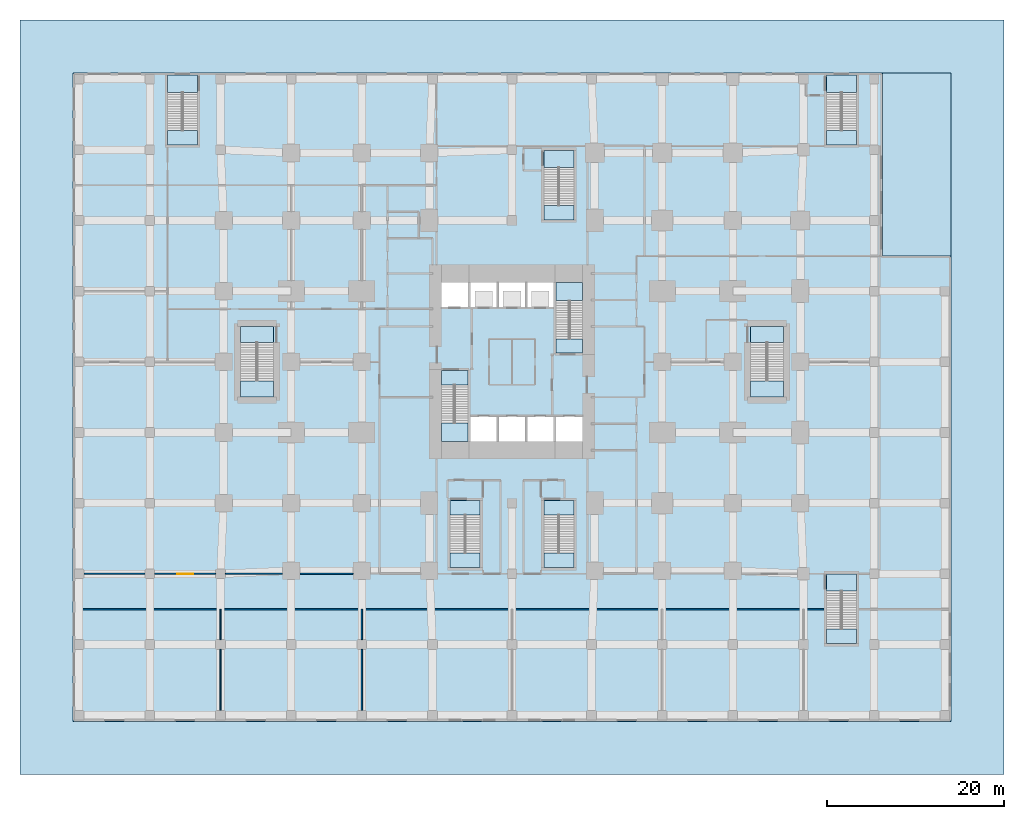
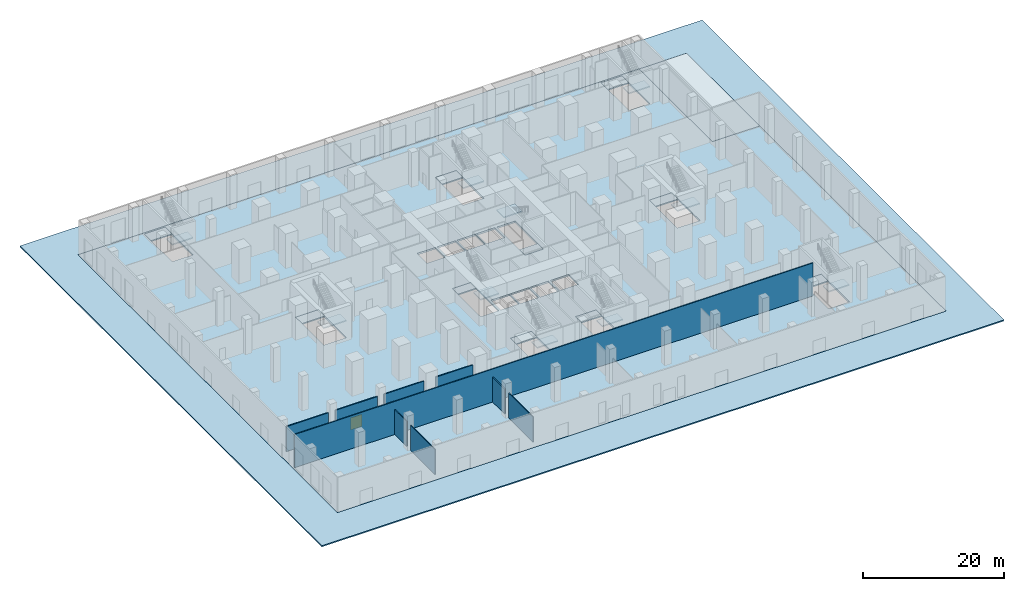
# One storey, part 3 of 16: 23 slabs, 9 walls, 1 door, 1 opening, 10 elements without a shape of their own.
"""IFC4 building model written with IfcOpenShell, lengths in metres."""

from ifc_helpers import new_model, si_unit, direction, frame, frame_2d, origin, place, context, subcontext, project, spatial, polyline, rectangle, outline, extrude, material, layer, layer_set, type_object, element, fill, aggregate, save


model = new_model("IFC4")

# Units and contexts
model_context = context("Model", 3, precision=1e-05, world=origin(), true_north=direction((0.0, 1.0)))
body_context = subcontext(model_context, "Body", "Model", "MODEL_VIEW")
ifc_project = project(units=[si_unit("LENGTHUNIT", "METRE"), si_unit("AREAUNIT", "SQUARE_METRE"), si_unit("VOLUMEUNIT", "CUBIC_METRE"), si_unit("PLANEANGLEUNIT", "RADIAN"), si_unit("MASSUNIT", "GRAM", prefix="KILO")], contexts=[model_context])

# Site, building, storey
site_placement = place(None, origin())
site = spatial("IfcSite", under=ifc_project, at=site_placement, CompositionType="ELEMENT")
building_placement = place(site_placement, origin())
building = spatial("IfcBuilding", under=site, at=building_placement, Name="Cleftline Residences", CompositionType="ELEMENT")
storey_placement = place(building_placement, origin())
storey = spatial("IfcBuildingStorey", under=building, at=storey_placement, Name="L00", CompositionType="ELEMENT", Elevation=0.0)

# Slabs
ifc_material_1 = material(Name="Concrete B45", Category="concrete")
ifc_layer_1 = layer(ifc_material_1, 0.300048828125)
ifc_layer_set_1 = layer_set([ifc_layer_1], Name="FLOOR SLAB 300")
slab_type_1 = type_object("IfcSlabType", Name="FLOOR SLAB 300", PredefinedType="FLOOR", material=ifc_layer_set_1)
slab_1_placement = place(storey_placement, frame((0.0, 0.0, -0.300048828125)))
element("IfcSlab", 1, at=slab_1_placement, inside=storey, type_object=slab_type_1, Name="Floor slab L00", PredefinedType="FLOOR", context=body_context, shape_type="SweptSolid", body=[
    extrude(outline(polyline([(82.699951171875, 36.0), (74.949951171875, 36.0), (74.949951171875, 56.699951171875), (-16.699951171875, 56.699951171875), (-16.699951171875, -16.699951171875), (82.699951171875, -16.699951171875), (82.699951171875, 36.0)]), holes=[polyline([(28.0, 15.0), (28.0, 23.0), (25.0, 23.0), (25.0, 15.0), (28.0, 15.0)]), polyline([(41.0, 25.0), (41.0, 33.0), (38.0, 33.0), (38.0, 25.0), (41.0, 25.0)]), polyline([(28.0, 30.199951171875), (28.0, 33.0), (25.0, 33.0), (25.0, 30.199951171875), (28.0, 30.199951171875)]), polyline([(41.0, 15.0), (41.0, 17.800048828125), (38.0, 17.800048828125), (38.0, 15.0), (41.0, 15.0)]), polyline([(31.300048828125, 15.0), (31.300048828125, 17.800048828125), (28.300048828125, 17.800048828125), (28.300048828125, 15.0), (31.300048828125, 15.0)]), polyline([(34.5, 15.0), (34.5, 17.800048828125), (31.5, 17.800048828125), (31.5, 15.0), (34.5, 15.0)]), polyline([(37.699951171875, 15.0), (37.699951171875, 17.800048828125), (34.699951171875, 17.800048828125), (34.699951171875, 15.0), (37.699951171875, 15.0)]), polyline([(31.300048828125, 30.199951171875), (31.300048828125, 33.0), (28.300048828125, 33.0), (28.300048828125, 30.199951171875), (31.300048828125, 30.199951171875)]), polyline([(34.5, 30.199951171875), (34.5, 33.0), (31.5, 33.0), (31.5, 30.199951171875), (34.5, 30.199951171875)]), polyline([(37.699951171875, 30.199951171875), (37.699951171875, 33.0), (34.699951171875, 33.0), (34.699951171875, 30.199951171875), (37.699951171875, 30.199951171875)]), polyline([(29.39990234375, 0.699951171875), (29.39990234375, 8.300048828125), (26.0, 8.300048828125), (26.0, 0.699951171875), (29.39990234375, 0.699951171875)]), polyline([(40.0, 0.699951171875), (40.0, 8.300048828125), (36.60009765625, 8.300048828125), (36.60009765625, 0.699951171875), (40.0, 0.699951171875)]), polyline([(40.0, 40.050048828125), (40.0, 47.949951171875), (36.60009765625, 47.949951171875), (36.60009765625, 40.050048828125), (40.0, 40.050048828125)]), polyline([(63.72509765625, 20.02490234375), (63.72509765625, 27.97509765625), (60.02490234375, 27.97509765625), (60.02490234375, 20.02490234375), (63.72509765625, 20.02490234375)]), polyline([(72.0, 48.550048828125), (72.0, 56.449951171875), (68.60009765625, 56.449951171875), (68.60009765625, 48.550048828125), (72.0, 48.550048828125)]), polyline([(72.0, -7.89990234375), (72.0, 0.0), (68.60009765625, 0.0), (68.60009765625, -7.89990234375), (72.0, -7.89990234375)]), polyline([(-2.60009765625, 48.550048828125), (-2.60009765625, 56.449951171875), (-6.0, 56.449951171875), (-6.0, 48.550048828125), (-2.60009765625, 48.550048828125)]), polyline([(5.97509765625, 20.02490234375), (5.97509765625, 27.97509765625), (2.27490234375, 27.97509765625), (2.27490234375, 20.02490234375), (5.97509765625, 20.02490234375)])]), origin(), (0.0, 0.0, 1.0), 0.300048828125),
])
ifc_material_2 = material(Name="Granite setts on concrete base", Category="masonry")
ifc_layer_2 = layer(ifc_material_2, 0.199951171875)
ifc_layer_set_2 = layer_set([ifc_layer_2], Name="PAVING 200")
slab_type_2 = type_object("IfcSlabType", Name="PAVING 200", PredefinedType="USERDEFINED", material=ifc_layer_set_2)
slab_2_placement = place(storey_placement, frame((0.0, 0.0, -0.199951171875)))
element("IfcSlab", 2, at=slab_2_placement, inside=storey, type_object=slab_type_2, Name="Forecourt paving", ObjectType="PAVING", PredefinedType="USERDEFINED", context=body_context, shape_type="SweptSolid", body=[
    extrude(outline(polyline([(88.699951171875, -22.699951171875), (88.699951171875, 62.699951171875), (-22.699951171875, 62.699951171875), (-22.699951171875, -22.699951171875), (88.699951171875, -22.699951171875)]), holes=[polyline([(82.699951171875, 56.699951171875), (-16.699951171875, 56.699951171875), (-16.699951171875, -16.699951171875), (82.699951171875, -16.699951171875), (82.699951171875, 56.699951171875)])]), origin(), (0.0, 0.0, 1.0), 0.199951171875),
])

# Stair, slabs
ifc_material_3 = material(Name="Concrete B45, stone treads", Category="masonry")
stair_type_1 = type_object("IfcStairType", Name="STAIR A 1450 WIDE 176 RISER", PredefinedType="HALF_TURN_STAIR", material=ifc_material_3)
stair_1_placement = place(storey_placement, origin())
stair_1 = element("IfcStair", 3, at=stair_1_placement, inside=storey, type_object=stair_type_1, Name="Stair A L00", PredefinedType="HALF_TURN_STAIR")
ifc_material_4 = material(Name="Concrete B45", Category="concrete")
ifc_layer_3 = layer(ifc_material_4, 0.199951171875)
ifc_layer_set_3 = layer_set([ifc_layer_3], Name="STAIR LANDING 200")
slab_type_3 = type_object("IfcSlabType", Name="STAIR LANDING 200", PredefinedType="LANDING", material=ifc_layer_set_3)
slab_3_placement = place(storey_placement, frame((0.0, 0.0, -0.199951171875)))
slab_3 = element("IfcSlab", 4, at=slab_3_placement, type_object=slab_type_3, Name="ST-A landing 1", PredefinedType="LANDING", context=body_context, shape_type="SweptSolid", body=[
    extrude(outline(polyline([(25.0, 21.39990234375), (28.0, 21.39990234375), (28.0, 23.0), (25.0, 23.0), (25.0, 21.39990234375)])), origin(), (0.0, 0.0, 1.0), 0.199951171875),
])
slab_4_placement = place(storey_placement, frame((0.0, 0.0, 2.800048828125)))
slab_4 = element("IfcSlab", 5, at=slab_4_placement, type_object=slab_type_3, Name="ST-A landing 2", PredefinedType="LANDING", context=body_context, shape_type="SweptSolid", body=[
    extrude(outline(polyline([(25.0, 15.0), (28.0, 15.0), (28.0, 17.080078125), (25.0, 17.080078125), (25.0, 15.0)])), origin(), (0.0, 0.0, 1.0), 0.199951171875),
])
aggregate(stair_1, [slab_3, slab_4])

ifc_material_5 = material(Name="Concrete B45, stone treads", Category="masonry")
stair_type_2 = type_object("IfcStairType", Name="STAIR B 1450 WIDE 176 RISER", PredefinedType="HALF_TURN_STAIR", material=ifc_material_5)
stair_2_placement = place(storey_placement, origin())
stair_2 = element("IfcStair", 6, at=stair_2_placement, inside=storey, type_object=stair_type_2, Name="Stair B L00", PredefinedType="HALF_TURN_STAIR")
slab_5_placement = place(storey_placement, frame((0.0, 0.0, -0.199951171875)))
slab_5 = element("IfcSlab", 7, at=slab_5_placement, type_object=slab_type_3, Name="ST-B landing 1", PredefinedType="LANDING", context=body_context, shape_type="SweptSolid", body=[
    extrude(outline(polyline([(38.0, 25.0), (41.0, 25.0), (41.0, 26.60009765625), (38.0, 26.60009765625), (38.0, 25.0)])), origin(), (0.0, 0.0, 1.0), 0.199951171875),
])
slab_6_placement = place(storey_placement, frame((0.0, 0.0, 2.800048828125)))
slab_6 = element("IfcSlab", 8, at=slab_6_placement, type_object=slab_type_3, Name="ST-B landing 2", PredefinedType="LANDING", context=body_context, shape_type="SweptSolid", body=[
    extrude(outline(polyline([(38.0, 30.919921875), (41.0, 30.919921875), (41.0, 33.0), (38.0, 33.0), (38.0, 30.919921875)])), origin(), (0.0, 0.0, 1.0), 0.199951171875),
])
aggregate(stair_2, [slab_5, slab_6])

ifc_material_6 = material(Name="Concrete B45, stone treads", Category="masonry")
stair_type_3 = type_object("IfcStairType", Name="STAIR C 1630 WIDE 176 RISER", PredefinedType="HALF_TURN_STAIR", material=ifc_material_6)
stair_3_placement = place(storey_placement, origin())
stair_3 = element("IfcStair", 9, at=stair_3_placement, inside=storey, type_object=stair_type_3, Name="Stair C L00", PredefinedType="HALF_TURN_STAIR")
slab_7_placement = place(storey_placement, frame((0.0, 0.0, -0.199951171875)))
slab_7 = element("IfcSlab", 10, at=slab_7_placement, type_object=slab_type_3, Name="ST-C landing 1", PredefinedType="LANDING", context=body_context, shape_type="SweptSolid", body=[
    extrude(outline(polyline([(26.0, 6.669921875), (29.39990234375, 6.669921875), (29.39990234375, 8.300048828125), (26.0, 8.300048828125), (26.0, 6.669921875)])), origin(), (0.0, 0.0, 1.0), 0.199951171875),
])
slab_8_placement = place(storey_placement, frame((0.0, 0.0, 2.800048828125)))
slab_8 = element("IfcSlab", 11, at=slab_8_placement, type_object=slab_type_3, Name="ST-C landing 2", PredefinedType="LANDING", context=body_context, shape_type="SweptSolid", body=[
    extrude(outline(polyline([(26.0, 0.699951171875), (29.39990234375, 0.699951171875), (29.39990234375, 2.35009765625), (26.0, 2.35009765625), (26.0, 0.699951171875)])), origin(), (0.0, 0.0, 1.0), 0.199951171875),
])
aggregate(stair_3, [slab_7, slab_8])

ifc_material_7 = material(Name="Concrete B45, stone treads", Category="masonry")
stair_type_4 = type_object("IfcStairType", Name="STAIR C2 1630 WIDE 176 RISER", PredefinedType="HALF_TURN_STAIR", material=ifc_material_7)
stair_4_placement = place(storey_placement, origin())
stair_4 = element("IfcStair", 12, at=stair_4_placement, inside=storey, type_object=stair_type_4, Name="Stair C2 L00", PredefinedType="HALF_TURN_STAIR")
slab_9_placement = place(storey_placement, frame((0.0, 0.0, -0.199951171875)))
slab_9 = element("IfcSlab", 13, at=slab_9_placement, type_object=slab_type_3, Name="ST-C2 landing 1", PredefinedType="LANDING", context=body_context, shape_type="SweptSolid", body=[
    extrude(outline(polyline([(36.60009765625, 6.669921875), (40.0, 6.669921875), (40.0, 8.300048828125), (36.60009765625, 8.300048828125), (36.60009765625, 6.669921875)])), origin(), (0.0, 0.0, 1.0), 0.199951171875),
])
slab_10_placement = place(storey_placement, frame((0.0, 0.0, 2.800048828125)))
slab_10 = element("IfcSlab", 14, at=slab_10_placement, type_object=slab_type_3, Name="ST-C2 landing 2", PredefinedType="LANDING", context=body_context, shape_type="SweptSolid", body=[
    extrude(outline(polyline([(36.60009765625, 0.699951171875), (40.0, 0.699951171875), (40.0, 2.35009765625), (36.60009765625, 2.35009765625), (36.60009765625, 0.699951171875)])), origin(), (0.0, 0.0, 1.0), 0.199951171875),
])
aggregate(stair_4, [slab_9, slab_10])

ifc_material_8 = material(Name="Concrete B45, stone treads", Category="masonry")
stair_type_5 = type_object("IfcStairType", Name="STAIR D 1630 WIDE 176 RISER", PredefinedType="HALF_TURN_STAIR", material=ifc_material_8)
stair_5_placement = place(storey_placement, origin())
stair_5 = element("IfcStair", 15, at=stair_5_placement, inside=storey, type_object=stair_type_5, Name="Stair D L00", PredefinedType="HALF_TURN_STAIR")
slab_11_placement = place(storey_placement, frame((0.0, 0.0, -0.199951171875)))
slab_11 = element("IfcSlab", 16, at=slab_11_placement, type_object=slab_type_3, Name="ST-D landing 1", PredefinedType="LANDING", context=body_context, shape_type="SweptSolid", body=[
    extrude(outline(polyline([(36.60009765625, 46.02001953125), (40.0, 46.02001953125), (40.0, 47.949951171875), (36.60009765625, 47.949951171875), (36.60009765625, 46.02001953125)])), origin(), (0.0, 0.0, 1.0), 0.199951171875),
])
slab_12_placement = place(storey_placement, frame((0.0, 0.0, 2.800048828125)))
slab_12 = element("IfcSlab", 17, at=slab_12_placement, type_object=slab_type_3, Name="ST-D landing 2", PredefinedType="LANDING", context=body_context, shape_type="SweptSolid", body=[
    extrude(outline(polyline([(36.60009765625, 40.050048828125), (40.0, 40.050048828125), (40.0, 41.699951171875), (36.60009765625, 41.699951171875), (36.60009765625, 40.050048828125)])), origin(), (0.0, 0.0, 1.0), 0.199951171875),
])
aggregate(stair_5, [slab_11, slab_12])

ifc_material_9 = material(Name="Concrete B45, stone treads", Category="masonry")
stair_type_6 = type_object("IfcStairType", Name="STAIR E 1800 WIDE 176 RISER", PredefinedType="HALF_TURN_STAIR", material=ifc_material_9)
stair_6_placement = place(storey_placement, origin())
stair_6 = element("IfcStair", 18, at=stair_6_placement, inside=storey, type_object=stair_type_6, Name="Stair E L00", PredefinedType="HALF_TURN_STAIR")
slab_13_placement = place(storey_placement, frame((0.0, 0.0, -0.199951171875)))
slab_13 = element("IfcSlab", 19, at=slab_13_placement, type_object=slab_type_3, Name="ST-E landing 1", PredefinedType="LANDING", context=body_context, shape_type="SweptSolid", body=[
    extrude(outline(polyline([(60.02490234375, 26.175048828125), (63.72509765625, 26.175048828125), (63.72509765625, 27.97509765625), (60.02490234375, 27.97509765625), (60.02490234375, 26.175048828125)])), origin(), (0.0, 0.0, 1.0), 0.199951171875),
])
slab_14_placement = place(storey_placement, frame((0.0, 0.0, 2.800048828125)))
slab_14 = element("IfcSlab", 20, at=slab_14_placement, type_object=slab_type_3, Name="ST-E landing 2", PredefinedType="LANDING", context=body_context, shape_type="SweptSolid", body=[
    extrude(outline(polyline([(60.02490234375, 20.02490234375), (63.72509765625, 20.02490234375), (63.72509765625, 21.85498046875), (60.02490234375, 21.85498046875), (60.02490234375, 20.02490234375)])), origin(), (0.0, 0.0, 1.0), 0.199951171875),
])
aggregate(stair_6, [slab_13, slab_14])

ifc_material_10 = material(Name="Concrete B45, stone treads", Category="masonry")
stair_type_7 = type_object("IfcStairType", Name="STAIR PS-E 1630 WIDE 176 RISER", PredefinedType="HALF_TURN_STAIR", material=ifc_material_10)
stair_7_placement = place(storey_placement, origin())
stair_7 = element("IfcStair", 21, at=stair_7_placement, inside=storey, type_object=stair_type_7, Name="Stair PS-E L00", PredefinedType="HALF_TURN_STAIR")
slab_15_placement = place(storey_placement, frame((0.0, 0.0, -0.199951171875)))
slab_15 = element("IfcSlab", 22, at=slab_15_placement, type_object=slab_type_3, Name="ST-PS-E landing 1", PredefinedType="LANDING", context=body_context, shape_type="SweptSolid", body=[
    extrude(outline(polyline([(68.60009765625, 54.52001953125), (72.0, 54.52001953125), (72.0, 56.449951171875), (68.60009765625, 56.449951171875), (68.60009765625, 54.52001953125)])), origin(), (0.0, 0.0, 1.0), 0.199951171875),
])
slab_16_placement = place(storey_placement, frame((0.0, 0.0, 2.800048828125)))
slab_16 = element("IfcSlab", 23, at=slab_16_placement, type_object=slab_type_3, Name="ST-PS-E landing 2", PredefinedType="LANDING", context=body_context, shape_type="SweptSolid", body=[
    extrude(outline(polyline([(68.60009765625, 48.550048828125), (72.0, 48.550048828125), (72.0, 50.199951171875), (68.60009765625, 50.199951171875), (68.60009765625, 48.550048828125)])), origin(), (0.0, 0.0, 1.0), 0.199951171875),
])
aggregate(stair_7, [slab_15, slab_16])

ifc_material_11 = material(Name="Concrete B45, stone treads", Category="masonry")
stair_type_8 = type_object("IfcStairType", Name="STAIR PS-S 1630 WIDE 176 RISER", PredefinedType="HALF_TURN_STAIR", material=ifc_material_11)
stair_8_placement = place(storey_placement, origin())
stair_8 = element("IfcStair", 24, at=stair_8_placement, inside=storey, type_object=stair_type_8, Name="Stair PS-S L00", PredefinedType="HALF_TURN_STAIR")
slab_17_placement = place(storey_placement, frame((0.0, 0.0, -0.199951171875)))
slab_17 = element("IfcSlab", 25, at=slab_17_placement, type_object=slab_type_3, Name="ST-PS-S landing 1", PredefinedType="LANDING", context=body_context, shape_type="SweptSolid", body=[
    extrude(outline(polyline([(68.60009765625, -1.929931640625), (72.0, -1.929931640625), (72.0, 0.0), (68.60009765625, 0.0), (68.60009765625, -1.929931640625)])), origin(), (0.0, 0.0, 1.0), 0.199951171875),
])
slab_18_placement = place(storey_placement, frame((0.0, 0.0, 2.800048828125)))
slab_18 = element("IfcSlab", 26, at=slab_18_placement, type_object=slab_type_3, Name="ST-PS-S landing 2", PredefinedType="LANDING", context=body_context, shape_type="SweptSolid", body=[
    extrude(outline(polyline([(68.60009765625, -7.89990234375), (72.0, -7.89990234375), (72.0, -6.25), (68.60009765625, -6.25), (68.60009765625, -7.89990234375)])), origin(), (0.0, 0.0, 1.0), 0.199951171875),
])
aggregate(stair_8, [slab_17, slab_18])

ifc_material_12 = material(Name="Concrete B45, stone treads", Category="masonry")
stair_type_9 = type_object("IfcStairType", Name="STAIR PS-W 1630 WIDE 176 RISER", PredefinedType="HALF_TURN_STAIR", material=ifc_material_12)
stair_9_placement = place(storey_placement, origin())
stair_9 = element("IfcStair", 27, at=stair_9_placement, inside=storey, type_object=stair_type_9, Name="Stair PS-W L00", PredefinedType="HALF_TURN_STAIR")
slab_19_placement = place(storey_placement, frame((0.0, 0.0, -0.199951171875)))
slab_19 = element("IfcSlab", 28, at=slab_19_placement, type_object=slab_type_3, Name="ST-PS-W landing 1", PredefinedType="LANDING", context=body_context, shape_type="SweptSolid", body=[
    extrude(outline(polyline([(-6.0, 54.52001953125), (-2.60009765625, 54.52001953125), (-2.60009765625, 56.449951171875), (-6.0, 56.449951171875), (-6.0, 54.52001953125)])), origin(), (0.0, 0.0, 1.0), 0.199951171875),
])
slab_20_placement = place(storey_placement, frame((0.0, 0.0, 2.800048828125)))
slab_20 = element("IfcSlab", 29, at=slab_20_placement, type_object=slab_type_3, Name="ST-PS-W landing 2", PredefinedType="LANDING", context=body_context, shape_type="SweptSolid", body=[
    extrude(outline(polyline([(-6.0, 48.550048828125), (-2.60009765625, 48.550048828125), (-2.60009765625, 50.199951171875), (-6.0, 50.199951171875), (-6.0, 48.550048828125)])), origin(), (0.0, 0.0, 1.0), 0.199951171875),
])
aggregate(stair_9, [slab_19, slab_20])

ifc_material_13 = material(Name="Concrete B45, stone treads", Category="masonry")
stair_type_10 = type_object("IfcStairType", Name="STAIR W 1800 WIDE 176 RISER", PredefinedType="HALF_TURN_STAIR", material=ifc_material_13)
stair_10_placement = place(storey_placement, origin())
stair_10 = element("IfcStair", 30, at=stair_10_placement, inside=storey, type_object=stair_type_10, Name="Stair W L00", PredefinedType="HALF_TURN_STAIR")
slab_21_placement = place(storey_placement, frame((0.0, 0.0, -0.199951171875)))
slab_21 = element("IfcSlab", 31, at=slab_21_placement, type_object=slab_type_3, Name="ST-W landing 1", PredefinedType="LANDING", context=body_context, shape_type="SweptSolid", body=[
    extrude(outline(polyline([(2.27490234375, 26.175048828125), (5.97509765625, 26.175048828125), (5.97509765625, 27.97509765625), (2.27490234375, 27.97509765625), (2.27490234375, 26.175048828125)])), origin(), (0.0, 0.0, 1.0), 0.199951171875),
])
slab_22_placement = place(storey_placement, frame((0.0, 0.0, 2.800048828125)))
slab_22 = element("IfcSlab", 32, at=slab_22_placement, type_object=slab_type_3, Name="ST-W landing 2", PredefinedType="LANDING", context=body_context, shape_type="SweptSolid", body=[
    extrude(outline(polyline([(2.27490234375, 20.02490234375), (5.97509765625, 20.02490234375), (5.97509765625, 21.85498046875), (2.27490234375, 21.85498046875), (2.27490234375, 20.02490234375)])), origin(), (0.0, 0.0, 1.0), 0.199951171875),
])
aggregate(stair_10, [slab_21, slab_22])

# Slab
ifc_material_14 = material(Name="Concrete B45", Category="concrete")
ifc_layer_4 = layer(ifc_material_14, 0.300048828125)
ifc_layer_set_4 = layer_set([ifc_layer_4], Name="TERRACE SLAB 300")
slab_type_4 = type_object("IfcSlabType", Name="TERRACE SLAB 300", PredefinedType="FLOOR", material=ifc_layer_set_4)
slab_23_placement = place(storey_placement, frame((0.0, 0.0, -0.300048828125)))
element("IfcSlab", 33, at=slab_23_placement, inside=storey, type_object=slab_type_4, Name="Terrace slab L00 1", PredefinedType="FLOOR", context=body_context, shape_type="SweptSolid", body=[
    extrude(outline(polyline([(74.9599609375, 56.699951171875), (74.958984375, 56.699951171875), (74.9580078125, 56.69970703125), (74.95703125, 56.69970703125), (74.956298828125, 56.69921875), (74.955322265625, 56.69873046875), (74.954345703125, 56.6982421875), (74.95361328125, 56.69775390625), (74.952880859375, 56.697021484375), (74.952392578125, 56.6962890625), (74.95166015625, 56.695556640625), (74.951171875, 56.694580078125), (74.95068359375, 56.69384765625), (74.950439453125, 56.69287109375), (74.9501953125, 56.69189453125), (74.949951171875, 56.69091796875), (74.949951171875, 56.68994140625), (74.949951171875, 36.010009765625), (74.949951171875, 36.009033203125), (74.9501953125, 36.008056640625), (74.950439453125, 36.007080078125), (74.95068359375, 36.006103515625), (74.951171875, 36.00537109375), (74.95166015625, 36.00439453125), (74.952392578125, 36.003662109375), (74.952880859375, 36.0029296875), (74.95361328125, 36.002197265625), (74.954345703125, 36.001708984375), (74.955322265625, 36.001220703125), (74.956298828125, 36.000732421875), (74.95703125, 36.00048828125), (74.9580078125, 36.000244140625), (74.958984375, 36.0), (74.9599609375, 36.0), (82.68994140625, 36.0), (82.69091796875, 36.0), (82.69189453125, 36.000244140625), (82.69287109375, 36.00048828125), (82.69384765625, 36.000732421875), (82.694580078125, 36.001220703125), (82.695556640625, 36.001708984375), (82.6962890625, 36.002197265625), (82.697021484375, 36.0029296875), (82.69775390625, 36.003662109375), (82.6982421875, 36.00439453125), (82.69873046875, 36.00537109375), (82.69921875, 36.006103515625), (82.69970703125, 36.007080078125), (82.69970703125, 36.008056640625), (82.699951171875, 36.009033203125), (82.699951171875, 36.010009765625), (82.699951171875, 56.68994140625), (82.699951171875, 56.69091796875), (82.69970703125, 56.69189453125), (82.69970703125, 56.69287109375), (82.69921875, 56.69384765625), (82.69873046875, 56.694580078125), (82.6982421875, 56.695556640625), (82.69775390625, 56.6962890625), (82.697021484375, 56.697021484375), (82.6962890625, 56.69775390625), (82.695556640625, 56.6982421875), (82.694580078125, 56.69873046875), (82.69384765625, 56.69921875), (82.69287109375, 56.69970703125), (82.69189453125, 56.69970703125), (82.69091796875, 56.699951171875), (82.68994140625, 56.699951171875), (74.9599609375, 56.699951171875)])), origin(), (0.0, 0.0, 1.0), 0.300048828125),
])

# Walls
ifc_material_15 = material(Name="Gypsum board on steel studs", Category="steel")
ifc_layer_5 = layer(ifc_material_15, 0.14990234375)
ifc_layer_set_5 = layer_set([ifc_layer_5], Name="PARTITION 150")
wall_type = type_object("IfcWallType", Name="PARTITION 150", PredefinedType="PARTITIONING", material=ifc_layer_set_5)
wall_1_placement = place(storey_placement, frame((-16.449951171875, -4.0, 0.0), z_axis=(0.0, 0.0, 1.0), x_axis=(1.0, 0.0, 0.0)))
element("IfcWall", 34, at=wall_1_placement, inside=storey, type_object=wall_type, Name="Partition", PredefinedType="PARTITIONING", context=body_context, shape_type="SweptSolid", body=[
    extrude(rectangle(XDim=84.75, YDim=0.14990234375, at=frame_2d((42.375, 0.0))), origin(), (0.0, 0.0, 1.0), 5.699951171875),
])
wall_2_placement = place(storey_placement, frame((-15.449951171875, 0.0, 0.0), z_axis=(0.0, 0.0, 1.0), x_axis=(1.0, 0.0, 0.0)))
element("IfcWall", 35, at=wall_2_placement, inside=storey, type_object=wall_type, Name="Partition", PredefinedType="PARTITIONING", context=body_context, shape_type="SweptSolid", body=[
    extrude(rectangle(XDim=6.89990234375, YDim=0.14990234375, at=frame_2d((3.449951171875, 0.0))), origin(), (0.0, 0.0, 1.0), 4.300048828125),
])

# Wall, opening, door
wall_3_placement = place(storey_placement, frame((-7.449951171875, 0.0, 0.0), z_axis=(0.0, 0.0, 1.0), x_axis=(1.0, 0.0, 0.0)))
wall_3 = element("IfcWall", 36, at=wall_3_placement, inside=storey, type_object=wall_type, Name="Partition", PredefinedType="PARTITIONING", context=body_context, shape_type="SweptSolid", body=[
    extrude(rectangle(XDim=6.89990234375, YDim=0.14990234375, at=frame_2d((3.449951171875, 0.0))), origin(), (0.0, 0.0, 1.0), 4.300048828125),
])
opening_placement = place(wall_3_placement, frame((2.550048828125, 0.0, 0.0)))
opening = element("IfcOpeningElement", 37, at=opening_placement, cuts=wall_3, Name="Opening D3F30", PredefinedType="OPENING", context=body_context, shape_type="SweptSolid", body=[
    extrude(rectangle(XDim=1.800048828125, YDim=2.10009765625, at=frame_2d((0.89990234375, 1.050048828125))), frame((0.0, 0.0849609375, 0.0), z_axis=(0.0, -1.0, 0.0), x_axis=(1.0, 0.0, 0.0)), (0.0, 0.0, 1.0), 0.169921875),
])
ifc_material_16 = material(Name="Timber veneer on solid core", Category="wood")
door_type = type_object("IfcDoorType", Name="DOUBLE DOOR 1800X2100 EI 30", OperationType="DOUBLE_DOOR_DOUBLE_SWING", PredefinedType="DOOR", material=ifc_material_16)
door_placement = place(opening_placement, origin())
door = element("IfcDoor", 38, at=door_placement, inside=storey, type_object=door_type, Name="Door to residential entrance lobby", OperationType="DOUBLE_DOOR_DOUBLE_SWING", OverallHeight=2.10009765625, OverallWidth=1.800048828125, PredefinedType="DOOR", context=body_context, shape_type="SweptSolid", body=[
    extrude(rectangle(XDim=1.800048828125, YDim=2.10009765625, at=frame_2d((0.89990234375, 1.050048828125))), frame((0.0, 0.02490234375, 0.0), z_axis=(0.0, -1.0, 0.0), x_axis=(1.0, 0.0, 0.0)), (0.0, 0.0, 1.0), 0.050048828125),
])
fill(opening, door)

# Walls
wall_4_placement = place(storey_placement, frame((0.550048828125, 0.0, 0.0), z_axis=(0.0, 0.0, 1.0), x_axis=(1.0, 0.0, 0.0)))
element("IfcWall", 39, at=wall_4_placement, inside=storey, type_object=wall_type, Name="Partition", PredefinedType="PARTITIONING", context=body_context, shape_type="SweptSolid", body=[
    extrude(rectangle(XDim=6.449951171875, YDim=0.14990234375, at=frame_2d((3.22509765625, 0.0))), origin(), (0.0, 0.0, 1.0), 4.300048828125),
])
wall_5_placement = place(storey_placement, frame((9.0, 0.0, 0.0), z_axis=(0.0, 0.0, 1.0), x_axis=(1.0, 0.0, 0.0)))
element("IfcWall", 40, at=wall_5_placement, inside=storey, type_object=wall_type, Name="Partition", PredefinedType="PARTITIONING", context=body_context, shape_type="SweptSolid", body=[
    extrude(rectangle(XDim=6.0, YDim=0.14990234375, at=frame_2d((3.0, 0.0))), origin(), (0.0, 0.0, 1.0), 4.300048828125),
])
wall_6_placement = place(storey_placement, frame((0.0, -15.449951171875, 0.0), z_axis=(0.0, 0.0, 1.0), x_axis=(0.0, 1.0, 0.0)))
element("IfcWall", 41, at=wall_6_placement, inside=storey, type_object=wall_type, Name="Partition", PredefinedType="PARTITIONING", context=body_context, shape_type="SweptSolid", body=[
    extrude(rectangle(XDim=6.89990234375, YDim=0.14990234375, at=frame_2d((3.449951171875, 0.0))), origin(), (0.0, 0.0, 1.0), 4.300048828125),
])
wall_7_placement = place(storey_placement, frame((0.0, -7.449951171875, 0.0), z_axis=(0.0, 0.0, 1.0), x_axis=(0.0, 1.0, 0.0)))
element("IfcWall", 42, at=wall_7_placement, inside=storey, type_object=wall_type, Name="Partition", PredefinedType="PARTITIONING", context=body_context, shape_type="SweptSolid", body=[
    extrude(rectangle(XDim=3.449951171875, YDim=0.14990234375, at=frame_2d((1.72509765625, 0.0))), origin(), (0.0, 0.0, 1.0), 4.300048828125),
])
wall_8_placement = place(storey_placement, frame((16.0, -15.449951171875, 0.0), z_axis=(0.0, 0.0, 1.0), x_axis=(0.0, 1.0, 0.0)))
element("IfcWall", 43, at=wall_8_placement, inside=storey, type_object=wall_type, Name="Partition", PredefinedType="PARTITIONING", context=body_context, shape_type="SweptSolid", body=[
    extrude(rectangle(XDim=6.89990234375, YDim=0.14990234375, at=frame_2d((3.449951171875, 0.0))), origin(), (0.0, 0.0, 1.0), 4.300048828125),
])
wall_9_placement = place(storey_placement, frame((16.0, -7.449951171875, 0.0), z_axis=(0.0, 0.0, 1.0), x_axis=(0.0, 1.0, 0.0)))
element("IfcWall", 44, at=wall_9_placement, inside=storey, type_object=wall_type, Name="Partition", PredefinedType="PARTITIONING", context=body_context, shape_type="SweptSolid", body=[
    extrude(rectangle(XDim=3.449951171875, YDim=0.14990234375, at=frame_2d((1.72509765625, 0.0))), origin(), (0.0, 0.0, 1.0), 4.300048828125),
])

save(model, "model.ifc")
